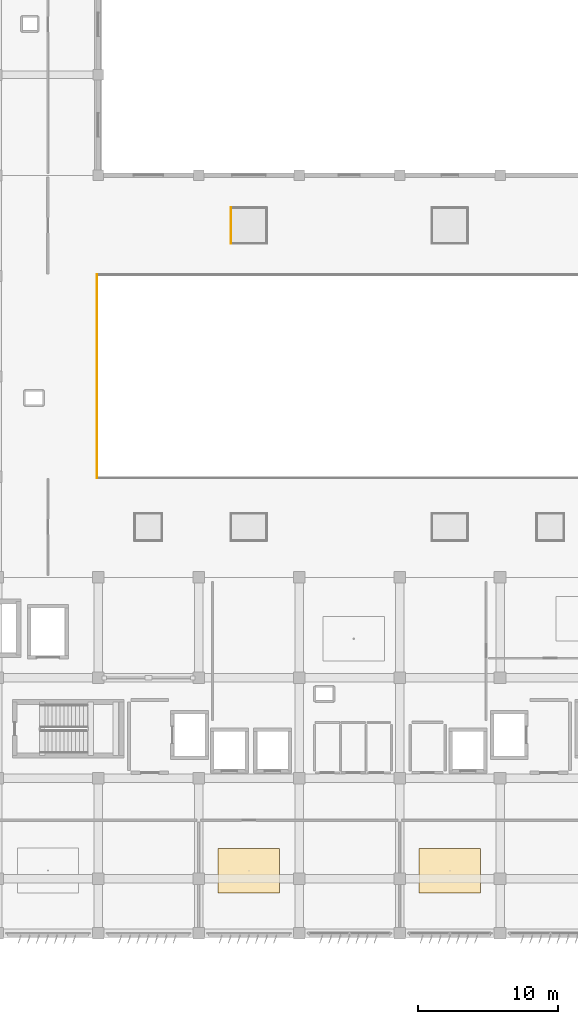
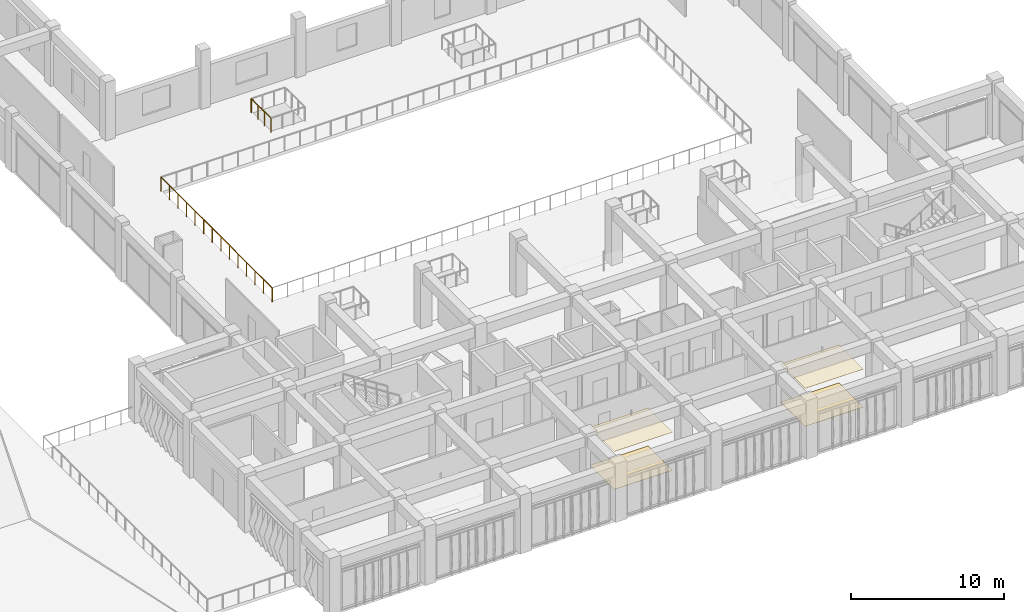
# One storey, part 51 of 55: 4 coverings, 2 railings.
"""IFC4 building model written with IfcOpenShell, lengths in metres."""

from ifc_helpers import new_model, si_unit, direction, frame, origin, origin_2d, place, context, subcontext, project, spatial, rectangle, circle, extrude, material, layer, layer_set, type_object, element, save


model = new_model("IFC4")

# Units and contexts
model_context = context("Model", 3, precision=1e-05, world=origin(), true_north=direction((0.0, 1.0)))
body_context = subcontext(model_context, "Body", "Model", "MODEL_VIEW")
ifc_project = project(units=[si_unit("LENGTHUNIT", "METRE"), si_unit("AREAUNIT", "SQUARE_METRE"), si_unit("VOLUMEUNIT", "CUBIC_METRE"), si_unit("PLANEANGLEUNIT", "RADIAN"), si_unit("MASSUNIT", "GRAM", prefix="KILO")], contexts=[model_context])

# Site, building, storey
site_placement = place(None, origin())
site = spatial("IfcSite", under=ifc_project, at=site_placement, CompositionType="ELEMENT")
building_placement = place(site_placement, origin())
building = spatial("IfcBuilding", under=site, at=building_placement, Name="Kazehaya Institute of Natural Sciences", CompositionType="ELEMENT")
storey_placement = place(building_placement, frame((0.0, 0.0, 15.1201171875)))
storey = spatial("IfcBuildingStorey", under=building, at=storey_placement, Name="L03", CompositionType="ELEMENT", Elevation=15.1201171875)

# Coverings
ifc_material_1 = material(Name="Mineral-fibre acoustic ceiling tile")
ifc_layer_1 = layer(ifc_material_1, 0.02490234375, Name="Mineral-fibre acoustic ceiling tile")
ifc_layer_set_1 = layer_set([ifc_layer_1], Name="Mineral-fibre acoustic ceiling tile")
covering_type_1 = type_object("IfcCoveringType", Name="COV-CEIL-AC", PredefinedType="CEILING", material=ifc_layer_set_1)
for number, where, z_axis, x_axis, name in (
    (1, (79.79443359375, 14.58056640625, 3.02734375), (0.0, 0.0, 1.0), (1.0, 0.0, 0.0), "L03 Marine Biogeochemistry Laboratory ceiling 33"),
    (2, (94.1953125, 14.5703125, 3.02734375), (0.0, 0.0, 1.0), (1.0, 0.0, 0.0), "L03 Researcher Write-up Office ceiling 34"),
):
    element("IfcCovering", number, at=place(storey_placement, frame(where, z_axis=z_axis, x_axis=x_axis)), inside=storey, type_object=covering_type_1, Name=name, PredefinedType="CEILING", context=body_context, shape_type="SweptSolid", body=[
        extrude(rectangle(XDim=4.39990234375, YDim=3.199951171875, at=origin_2d()), origin(), (0.0, 0.0, 1.0), 0.02490234375),
    ])
ifc_material_2 = material(Name="Seamless chemical-resistant epoxy flooring")
ifc_layer_2 = layer(ifc_material_2, 0.014892578125, Name="Seamless chemical-resistant epoxy flooring")
ifc_layer_set_2 = layer_set([ifc_layer_2], Name="Seamless chemical-resistant epoxy flooring")
covering_type_2 = type_object("IfcCoveringType", Name="COV-FLR-EPX", PredefinedType="FLOORING", material=ifc_layer_set_2)
covering_1_placement = place(storey_placement, frame((79.79443359375, 14.58056640625, 0.0), z_axis=(0.0, 0.0, 1.0), x_axis=(1.0, 0.0, 0.0)))
element("IfcCovering", 3, at=covering_1_placement, inside=storey, type_object=covering_type_2, Name="L03 Marine Biogeochemistry Laboratory finish flooring 33", PredefinedType="FLOORING", context=body_context, shape_type="SweptSolid", body=[
    extrude(rectangle(XDim=4.39990234375, YDim=3.199951171875, at=origin_2d()), origin(), (0.0, 0.0, 1.0), 0.014892578125),
])
ifc_material_3 = material(Name="Polished Sawara stone terrazzo flooring", Category="masonry")
ifc_layer_3 = layer(ifc_material_3, 0.02001953125, Name="Polished Sawara stone terrazzo flooring", Category="masonry")
ifc_layer_set_3 = layer_set([ifc_layer_3], Name="Polished Sawara stone terrazzo flooring")
covering_type_3 = type_object("IfcCoveringType", Name="COV-FLR-TRZ", PredefinedType="FLOORING", material=ifc_layer_set_3)
covering_2_placement = place(storey_placement, frame((94.1953125, 14.5703125, -0.000244140625), z_axis=(0.0, 0.0, 1.0), x_axis=(1.0, 0.0, 0.0)))
element("IfcCovering", 4, at=covering_2_placement, inside=storey, type_object=covering_type_3, Name="L03 Researcher Write-up Office finish flooring 34", PredefinedType="FLOORING", context=body_context, shape_type="SweptSolid", body=[
    extrude(rectangle(XDim=4.39990234375, YDim=3.199951171875, at=origin_2d()), origin(), (0.0, 0.0, 1.0), 0.02001953125),
])

# Railings
ifc_material_4 = material(Name="Structural steel SN490B", Category="steel")
railing_type = type_object("IfcRailingType", Name="RL-GUARD-VOID", PredefinedType="GUARDRAIL", material=ifc_material_4)
railing_1_placement = place(storey_placement, frame((78.52001953125, 62.080078125, 0.0)))
element("IfcRailing", 5, at=railing_1_placement, inside=storey, type_object=railing_type, Name="L03 skylight 05 perimeter guard 4", PredefinedType="GUARDRAIL", context=body_context, shape_type="SweptSolid", body=[
    extrude(circle(Radius=0.02392578125, at=origin_2d()), frame((0.0, 0.0, 1.1259765625), z_axis=(0.0, -1.0, 0.0), x_axis=(1.0, 0.0, 0.0)), (0.0, 0.0, 1.0), 2.56005859375),
    extrude(circle(Radius=0.02099609375, at=origin_2d()), origin(), (0.0, 0.0, 1.0), 1.101806640625),
    extrude(circle(Radius=0.02099609375, at=origin_2d()), frame((0.0, -0.853271484375, 0.0)), (0.0, 0.0, 1.0), 1.101806640625),
    extrude(circle(Radius=0.02099609375, at=origin_2d()), frame((0.0, -1.706787109375, 0.0)), (0.0, 0.0, 1.0), 1.101806640625),
    extrude(circle(Radius=0.02099609375, at=origin_2d()), frame((0.0, -2.56005859375, 0.0)), (0.0, 0.0, 1.0), 1.101806640625),
])
railing_2_placement = place(storey_placement, frame((68.919921875, 42.719970703125, 0.0)))
element("IfcRailing", 6, at=railing_2_placement, inside=storey, type_object=railing_type, Name="L03 void guard GRD-L03-046", PredefinedType="GUARDRAIL", context=body_context, shape_type="SweptSolid", body=[
    extrude(circle(Radius=0.02392578125, at=origin_2d()), frame((0.0, 0.0, 1.1259765625), z_axis=(0.0, 1.0, 0.0), x_axis=(-1.0, 0.0, 0.0)), (0.0, 0.0, 1.0), 14.56005859375),
    extrude(circle(Radius=0.02099609375, at=origin_2d()), origin(), (0.0, 0.0, 1.0), 1.101806640625),
    extrude(circle(Radius=0.02099609375, at=origin_2d()), frame((0.0, 1.1201171875, 0.0)), (0.0, 0.0, 1.0), 1.101806640625),
    extrude(circle(Radius=0.02099609375, at=origin_2d()), frame((0.0, 2.239990234375, 0.0)), (0.0, 0.0, 1.0), 1.101806640625),
    extrude(circle(Radius=0.02099609375, at=origin_2d()), frame((0.0, 3.360107421875, 0.0)), (0.0, 0.0, 1.0), 1.101806640625),
    extrude(circle(Radius=0.02099609375, at=origin_2d()), frame((0.0, 4.47998046875, 0.0)), (0.0, 0.0, 1.0), 1.101806640625),
    extrude(circle(Radius=0.02099609375, at=origin_2d()), frame((0.0, 5.60009765625, 0.0)), (0.0, 0.0, 1.0), 1.101806640625),
    extrude(circle(Radius=0.02099609375, at=origin_2d()), frame((0.0, 6.719970703125, 0.0)), (0.0, 0.0, 1.0), 1.101806640625),
    extrude(circle(Radius=0.02099609375, at=origin_2d()), frame((0.0, 7.840087890625, 0.0)), (0.0, 0.0, 1.0), 1.101806640625),
    extrude(circle(Radius=0.02099609375, at=origin_2d()), frame((0.0, 8.9599609375, 0.0)), (0.0, 0.0, 1.0), 1.101806640625),
    extrude(circle(Radius=0.02099609375, at=origin_2d()), frame((0.0, 10.080078125, 0.0)), (0.0, 0.0, 1.0), 1.101806640625),
    extrude(circle(Radius=0.02099609375, at=origin_2d()), frame((0.0, 11.199951171875, 0.0)), (0.0, 0.0, 1.0), 1.101806640625),
    extrude(circle(Radius=0.02099609375, at=origin_2d()), frame((0.0, 12.320068359375, 0.0)), (0.0, 0.0, 1.0), 1.101806640625),
    extrude(circle(Radius=0.02099609375, at=origin_2d()), frame((0.0, 13.43994140625, 0.0)), (0.0, 0.0, 1.0), 1.101806640625),
    extrude(circle(Radius=0.02099609375, at=origin_2d()), frame((0.0, 14.56005859375, 0.0)), (0.0, 0.0, 1.0), 1.101806640625),
])

save(model, "model.ifc")
